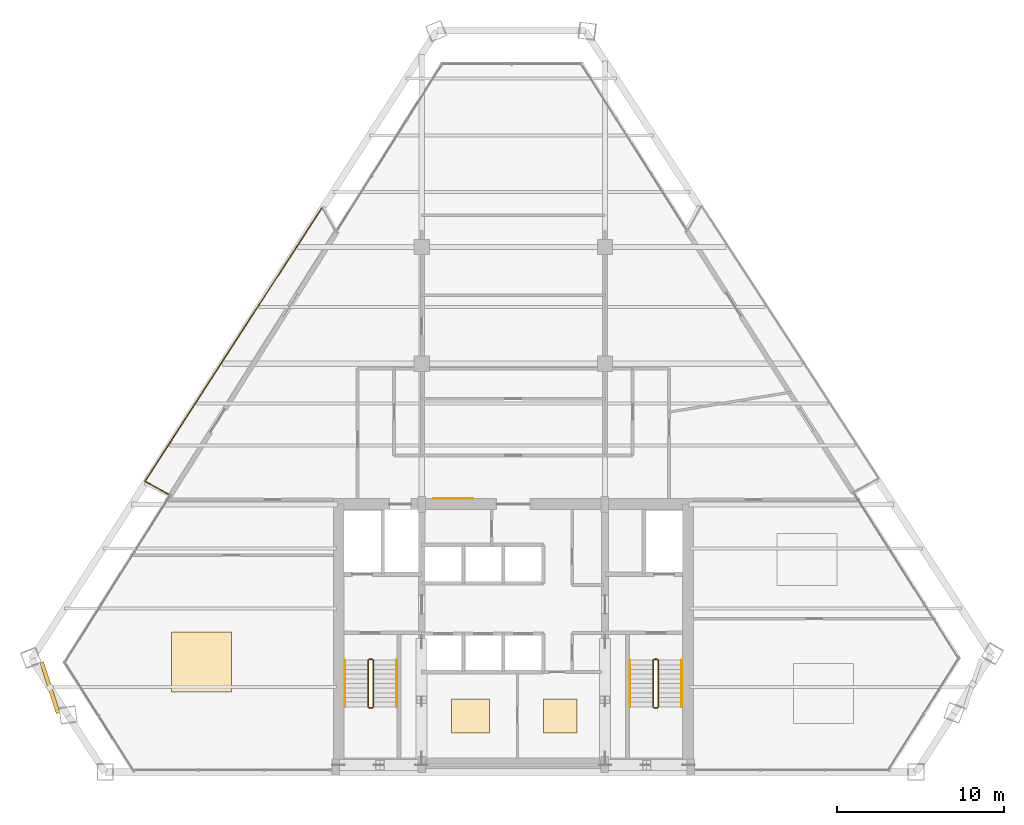
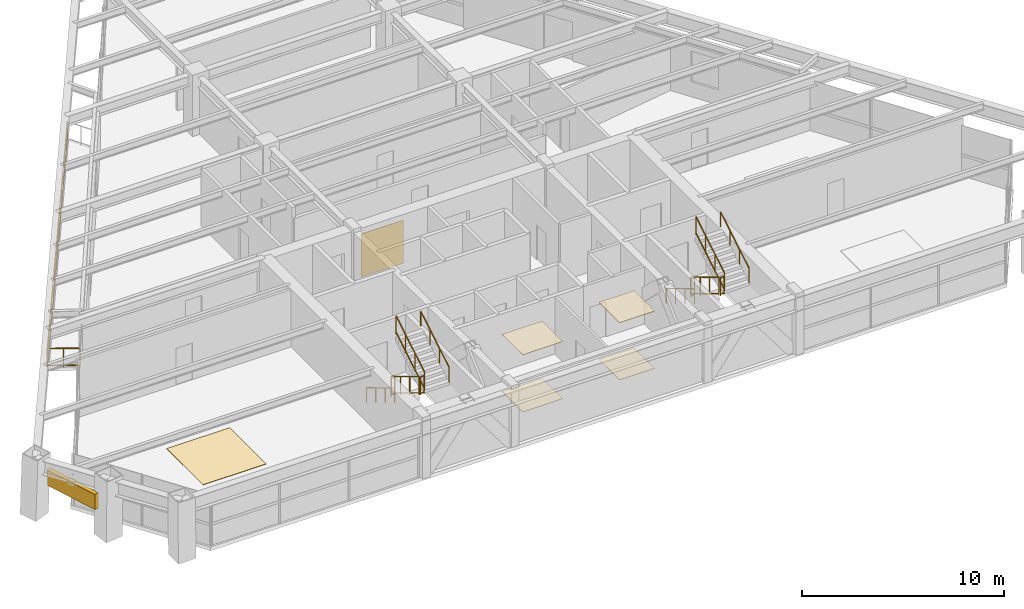
# One storey, part 14 of 15: 14 railings, 6 coverings, 1 shading device.
"""IFC4 building model written with IfcOpenShell, lengths in metres."""

from ifc_helpers import new_model, si_unit, direction, frame, origin, origin_2d, place, context, subcontext, project, spatial, rectangle, extrude, source, transform, mapped, material, layer, layer_set, type_object, type_shapes, element, save


model = new_model("IFC4")

# Units and contexts
model_context = context("Model", 3, precision=1e-05, world=origin(), true_north=direction((0.0, 1.0)))
body_context = subcontext(model_context, "Body", "Model", "MODEL_VIEW")
ifc_project = project(units=[si_unit("LENGTHUNIT", "METRE"), si_unit("AREAUNIT", "SQUARE_METRE"), si_unit("VOLUMEUNIT", "CUBIC_METRE"), si_unit("PLANEANGLEUNIT", "RADIAN"), si_unit("MASSUNIT", "GRAM", prefix="KILO")], contexts=[model_context])

# Site, building, storey
site_placement = place(None, origin())
site = spatial("IfcSite", under=ifc_project, at=site_placement, CompositionType="ELEMENT")
building_placement = place(site_placement, origin())
building = spatial("IfcBuilding", under=site, at=building_placement, Name="Varnakhor Terracotta Tower", CompositionType="ELEMENT")
storey_placement = place(building_placement, frame((0.0, 0.0, 171.0)))
storey = spatial("IfcBuildingStorey", under=building, at=storey_placement, Name="L43", CompositionType="ELEMENT", Elevation=171.0)

# Railings
ifc_material_1 = material(Name="Stainless Steel & Laminated Glass Guardrail", Category="steel")
railing_type_1 = type_object("IfcRailingType", Name="RLG-LOGGIA-GUARD-1150", PredefinedType="GUARDRAIL", material=ifc_material_1)
railing_1_placement = place(storey_placement, frame((-20.68505859375, 16.665283203125, 0.0)))
element("IfcRailing", 1, at=railing_1_placement, inside=storey, type_object=railing_type_1, Name="L43 W Loggia Glass Guard 1", PredefinedType="GUARDRAIL", context=body_context, shape_type="SweptSolid", body=[
    extrude(rectangle(XDim=0.048095703125, YDim=0.048095703125, at=origin_2d()), frame((0.0, 0.0, 1.1259765625), z_axis=(-0.877918646882, 0.478809825982, 0.0), x_axis=(-0.478809825982, -0.877918646882, 0.0)), (0.0, 0.0, 1.0), 1.617431640625),
    extrude(rectangle(XDim=0.048095703125, YDim=0.048095703125, at=origin_2d()), frame((0.0, 0.0, 0.10009765625), z_axis=(-0.877918646882, 0.478809825982, 0.0), x_axis=(-0.478809825982, -0.877918646882, 0.0)), (0.0, 0.0, 1.0), 1.617431640625),
    extrude(rectangle(XDim=0.0419921875, YDim=0.0419921875, at=origin_2d()), origin(), (0.0, 0.0, 1.0), 1.101806640625),
    extrude(rectangle(XDim=0.0419921875, YDim=0.0419921875, at=origin_2d()), frame((-0.7099609375, 0.38720703125, 0.0)), (0.0, 0.0, 1.0), 1.101806640625),
    extrude(rectangle(XDim=0.0419921875, YDim=0.0419921875, at=origin_2d()), frame((-1.419921875, 0.7744140625, 0.0)), (0.0, 0.0, 1.0), 1.101806640625),
])
railing_2_placement = place(storey_placement, frame((-22.10498046875, 17.439697265625, 0.0)))
element("IfcRailing", 2, at=railing_2_placement, inside=storey, type_object=railing_type_1, Name="L43 W Loggia Glass Guard 2", PredefinedType="GUARDRAIL", context=body_context, shape_type="SweptSolid", body=[
    extrude(rectangle(XDim=0.048095703125, YDim=0.048095703125, at=origin_2d()), frame((0.0, 0.0, 1.1259765625), z_axis=(0.543193362066, 0.839607629436, 0.0), x_axis=(-0.839607629436, 0.543193362066, 0.0)), (0.0, 0.0, 1.0), 19.576416015625),
    extrude(rectangle(XDim=0.048095703125, YDim=0.048095703125, at=origin_2d()), frame((0.0, 0.0, 0.10009765625), z_axis=(0.543193362066, 0.839607629436, 0.0), x_axis=(-0.839607629436, 0.543193362066, 0.0)), (0.0, 0.0, 1.0), 19.576416015625),
    extrude(rectangle(XDim=0.0419921875, YDim=0.0419921875, at=origin_2d()), origin(), (0.0, 0.0, 1.0), 1.101806640625),
    extrude(rectangle(XDim=0.0419921875, YDim=0.0419921875, at=origin_2d()), frame((0.759521484375, 1.174072265625, 0.0)), (0.0, 0.0, 1.0), 1.101806640625),
    extrude(rectangle(XDim=0.0419921875, YDim=0.0419921875, at=origin_2d()), frame((1.51904296875, 2.34814453125, 0.0)), (0.0, 0.0, 1.0), 1.101806640625),
    extrude(rectangle(XDim=0.0419921875, YDim=0.0419921875, at=origin_2d()), frame((2.278564453125, 3.522216796875, 0.0)), (0.0, 0.0, 1.0), 1.101806640625),
    extrude(rectangle(XDim=0.0419921875, YDim=0.0419921875, at=origin_2d()), frame((3.038330078125, 4.696044921875, 0.0)), (0.0, 0.0, 1.0), 1.101806640625),
    extrude(rectangle(XDim=0.0419921875, YDim=0.0419921875, at=origin_2d()), frame((3.7978515625, 5.8701171875, 0.0)), (0.0, 0.0, 1.0), 1.101806640625),
    extrude(rectangle(XDim=0.0419921875, YDim=0.0419921875, at=origin_2d()), frame((4.557373046875, 7.044189453125, 0.0)), (0.0, 0.0, 1.0), 1.101806640625),
    extrude(rectangle(XDim=0.0419921875, YDim=0.0419921875, at=origin_2d()), frame((5.31689453125, 8.21826171875, 0.0)), (0.0, 0.0, 1.0), 1.101806640625),
    extrude(rectangle(XDim=0.0419921875, YDim=0.0419921875, at=origin_2d()), frame((6.076416015625, 9.392333984375, 0.0)), (0.0, 0.0, 1.0), 1.101806640625),
    extrude(rectangle(XDim=0.0419921875, YDim=0.0419921875, at=origin_2d()), frame((6.8359375, 10.56640625, 0.0)), (0.0, 0.0, 1.0), 1.101806640625),
    extrude(rectangle(XDim=0.0419921875, YDim=0.0419921875, at=origin_2d()), frame((7.595458984375, 11.740478515625, 0.0)), (0.0, 0.0, 1.0), 1.101806640625),
    extrude(rectangle(XDim=0.0419921875, YDim=0.0419921875, at=origin_2d()), frame((8.355224609375, 12.914306640625, 0.0)), (0.0, 0.0, 1.0), 1.101806640625),
    extrude(rectangle(XDim=0.0419921875, YDim=0.0419921875, at=origin_2d()), frame((9.11474609375, 14.08837890625, 0.0)), (0.0, 0.0, 1.0), 1.101806640625),
    extrude(rectangle(XDim=0.0419921875, YDim=0.0419921875, at=origin_2d()), frame((9.874267578125, 15.262451171875, 0.0)), (0.0, 0.0, 1.0), 1.101806640625),
    extrude(rectangle(XDim=0.0419921875, YDim=0.0419921875, at=origin_2d()), frame((10.6337890625, 16.4365234375, 0.0)), (0.0, 0.0, 1.0), 1.101806640625),
])
ifc_material_2 = material(Name="Painted Steel Stairwell Guardrail", Category="steel")
railing_type_2 = type_object("IfcRailingType", Name="RLG-STAIR-GUARD-1120", PredefinedType="GUARDRAIL", material=ifc_material_2)
railing_3_placement = place(storey_placement, frame((-8.699951171875, 6.7099609375, 0.168212890625)))
element("IfcRailing", 3, at=railing_3_placement, inside=storey, type_object=railing_type_2, Name="L43 ST-1 stair guard 1", PredefinedType="GUARDRAIL", context=body_context, shape_type="SweptSolid", body=[
    extrude(rectangle(XDim=0.048095703125, YDim=0.048095703125, at=origin_2d()), frame((0.0, 0.0, 1.09619140625), z_axis=(0.0, -0.857242210791, 0.514913383045), x_axis=(1.0, 0.0, 0.0)), (0.0, 0.0, 1.0), 3.266357421875),
    extrude(rectangle(XDim=0.048095703125, YDim=0.048095703125, at=origin_2d()), frame((0.0, 0.0, 0.10009765625), z_axis=(0.0, -0.857242210791, 0.514913383045), x_axis=(1.0, 0.0, 0.0)), (0.0, 0.0, 1.0), 3.266357421875),
    extrude(rectangle(XDim=0.0419921875, YDim=0.0419921875, at=origin_2d()), origin(), (0.0, 0.0, 1.0), 1.072021484375),
    extrude(rectangle(XDim=0.0419921875, YDim=0.0419921875, at=origin_2d()), frame((0.0, -0.933349609375, 0.560546875)), (0.0, 0.0, 1.0), 1.072021484375),
    extrude(rectangle(XDim=0.0419921875, YDim=0.0419921875, at=origin_2d()), frame((0.0, -1.86669921875, 1.121337890625)), (0.0, 0.0, 1.0), 1.072021484375),
    extrude(rectangle(XDim=0.0419921875, YDim=0.0419921875, at=origin_2d()), frame((0.0, -2.800048828125, 1.681884765625)), (0.0, 0.0, 1.0), 1.072021484375),
])
railing_4_placement = place(storey_placement, frame((-8.64990234375, 3.860107421875, 1.85009765625)))
element("IfcRailing", 4, at=railing_4_placement, inside=storey, type_object=railing_type_2, Name="L43 ST-1 stair guard 2", PredefinedType="GUARDRAIL", context=body_context, shape_type="SweptSolid", body=[
    extrude(rectangle(XDim=0.048095703125, YDim=0.048095703125, at=origin_2d()), frame((0.0, 0.0, 1.09619140625), z_axis=(1.0, 0.0, 0.0), x_axis=(0.0, 1.0, 0.0)), (0.0, 0.0, 1.0), 0.199951171875),
    extrude(rectangle(XDim=0.048095703125, YDim=0.048095703125, at=origin_2d()), frame((0.0, 0.0, 0.10009765625), z_axis=(1.0, 0.0, 0.0), x_axis=(0.0, 1.0, 0.0)), (0.0, 0.0, 1.0), 0.199951171875),
    extrude(rectangle(XDim=0.0419921875, YDim=0.0419921875, at=origin_2d()), origin(), (0.0, 0.0, 1.0), 1.072021484375),
    extrude(rectangle(XDim=0.0419921875, YDim=0.0419921875, at=origin_2d()), frame((0.199951171875, 0.0, 0.0)), (0.0, 0.0, 1.0), 1.072021484375),
])
railing_5_placement = place(storey_placement, frame((-8.39990234375, 3.909912109375, 2.01806640625)))
element("IfcRailing", 5, at=railing_5_placement, inside=storey, type_object=railing_type_2, Name="L43 ST-1 stair guard 3", PredefinedType="GUARDRAIL", context=body_context, shape_type="SweptSolid", body=[
    extrude(rectangle(XDim=0.048095703125, YDim=0.048095703125, at=origin_2d()), frame((0.0, 0.0, 1.09619140625), z_axis=(0.0, 0.857242210791, 0.514913383045), x_axis=(-1.0, 0.0, 0.0)), (0.0, 0.0, 1.0), 3.266357421875),
    extrude(rectangle(XDim=0.048095703125, YDim=0.048095703125, at=origin_2d()), frame((0.0, 0.0, 0.10009765625), z_axis=(0.0, 0.857242210791, 0.514913383045), x_axis=(-1.0, 0.0, 0.0)), (0.0, 0.0, 1.0), 3.266357421875),
    extrude(rectangle(XDim=0.0419921875, YDim=0.0419921875, at=origin_2d()), origin(), (0.0, 0.0, 1.0), 1.072021484375),
    extrude(rectangle(XDim=0.0419921875, YDim=0.0419921875, at=origin_2d()), frame((0.0, 0.933349609375, 0.560546875)), (0.0, 0.0, 1.0), 1.072021484375),
    extrude(rectangle(XDim=0.0419921875, YDim=0.0419921875, at=origin_2d()), frame((0.0, 1.86669921875, 1.121337890625)), (0.0, 0.0, 1.0), 1.072021484375),
    extrude(rectangle(XDim=0.0419921875, YDim=0.0419921875, at=origin_2d()), frame((0.0, 2.800048828125, 1.681884765625)), (0.0, 0.0, 1.0), 1.072021484375),
])
railing_6_placement = place(storey_placement, frame((-8.64990234375, 6.760009765625, 0.0)))
element("IfcRailing", 6, at=railing_6_placement, inside=storey, type_object=railing_type_2, Name="L43 ST-1 stair guard 4", PredefinedType="GUARDRAIL", context=body_context, shape_type="SweptSolid", body=[
    extrude(rectangle(XDim=0.048095703125, YDim=0.048095703125, at=origin_2d()), frame((0.0, 0.0, 1.09619140625), z_axis=(1.0, 0.0, 0.0), x_axis=(0.0, 1.0, 0.0)), (0.0, 0.0, 1.0), 0.199951171875),
    extrude(rectangle(XDim=0.048095703125, YDim=0.048095703125, at=origin_2d()), frame((0.0, 0.0, 0.10009765625), z_axis=(1.0, 0.0, 0.0), x_axis=(0.0, 1.0, 0.0)), (0.0, 0.0, 1.0), 0.199951171875),
    extrude(rectangle(XDim=0.0419921875, YDim=0.0419921875, at=origin_2d()), origin(), (0.0, 0.0, 1.0), 1.072021484375),
    extrude(rectangle(XDim=0.0419921875, YDim=0.0419921875, at=origin_2d()), frame((0.199951171875, 0.0, 0.0)), (0.0, 0.0, 1.0), 1.072021484375),
])
railing_7_placement = place(storey_placement, frame((8.39990234375, 6.7099609375, 0.168212890625)))
element("IfcRailing", 7, at=railing_7_placement, inside=storey, type_object=railing_type_2, Name="L43 ST-2 stair guard 1", PredefinedType="GUARDRAIL", context=body_context, shape_type="SweptSolid", body=[
    extrude(rectangle(XDim=0.048095703125, YDim=0.048095703125, at=origin_2d()), frame((0.0, 0.0, 1.09619140625), z_axis=(0.0, -0.857242210791, 0.514913383045), x_axis=(1.0, 0.0, 0.0)), (0.0, 0.0, 1.0), 3.266357421875),
    extrude(rectangle(XDim=0.048095703125, YDim=0.048095703125, at=origin_2d()), frame((0.0, 0.0, 0.10009765625), z_axis=(0.0, -0.857242210791, 0.514913383045), x_axis=(1.0, 0.0, 0.0)), (0.0, 0.0, 1.0), 3.266357421875),
    extrude(rectangle(XDim=0.0419921875, YDim=0.0419921875, at=origin_2d()), origin(), (0.0, 0.0, 1.0), 1.072021484375),
    extrude(rectangle(XDim=0.0419921875, YDim=0.0419921875, at=origin_2d()), frame((0.0, -0.933349609375, 0.560546875)), (0.0, 0.0, 1.0), 1.072021484375),
    extrude(rectangle(XDim=0.0419921875, YDim=0.0419921875, at=origin_2d()), frame((0.0, -1.86669921875, 1.121337890625)), (0.0, 0.0, 1.0), 1.072021484375),
    extrude(rectangle(XDim=0.0419921875, YDim=0.0419921875, at=origin_2d()), frame((0.0, -2.800048828125, 1.681884765625)), (0.0, 0.0, 1.0), 1.072021484375),
])
railing_8_placement = place(storey_placement, frame((8.449951171875, 3.860107421875, 1.85009765625)))
element("IfcRailing", 8, at=railing_8_placement, inside=storey, type_object=railing_type_2, Name="L43 ST-2 stair guard 2", PredefinedType="GUARDRAIL", context=body_context, shape_type="SweptSolid", body=[
    extrude(rectangle(XDim=0.048095703125, YDim=0.048095703125, at=origin_2d()), frame((0.0, 0.0, 1.09619140625), z_axis=(1.0, 0.0, 0.0), x_axis=(0.0, 1.0, 0.0)), (0.0, 0.0, 1.0), 0.199951171875),
    extrude(rectangle(XDim=0.048095703125, YDim=0.048095703125, at=origin_2d()), frame((0.0, 0.0, 0.10009765625), z_axis=(1.0, 0.0, 0.0), x_axis=(0.0, 1.0, 0.0)), (0.0, 0.0, 1.0), 0.199951171875),
    extrude(rectangle(XDim=0.0419921875, YDim=0.0419921875, at=origin_2d()), origin(), (0.0, 0.0, 1.0), 1.072021484375),
    extrude(rectangle(XDim=0.0419921875, YDim=0.0419921875, at=origin_2d()), frame((0.199951171875, 0.0, 0.0)), (0.0, 0.0, 1.0), 1.072021484375),
])
railing_9_placement = place(storey_placement, frame((8.699951171875, 3.909912109375, 2.01806640625)))
element("IfcRailing", 9, at=railing_9_placement, inside=storey, type_object=railing_type_2, Name="L43 ST-2 stair guard 3", PredefinedType="GUARDRAIL", context=body_context, shape_type="SweptSolid", body=[
    extrude(rectangle(XDim=0.048095703125, YDim=0.048095703125, at=origin_2d()), frame((0.0, 0.0, 1.09619140625), z_axis=(0.0, 0.857242210791, 0.514913383045), x_axis=(-1.0, 0.0, 0.0)), (0.0, 0.0, 1.0), 3.266357421875),
    extrude(rectangle(XDim=0.048095703125, YDim=0.048095703125, at=origin_2d()), frame((0.0, 0.0, 0.10009765625), z_axis=(0.0, 0.857242210791, 0.514913383045), x_axis=(-1.0, 0.0, 0.0)), (0.0, 0.0, 1.0), 3.266357421875),
    extrude(rectangle(XDim=0.0419921875, YDim=0.0419921875, at=origin_2d()), origin(), (0.0, 0.0, 1.0), 1.072021484375),
    extrude(rectangle(XDim=0.0419921875, YDim=0.0419921875, at=origin_2d()), frame((0.0, 0.933349609375, 0.560546875)), (0.0, 0.0, 1.0), 1.072021484375),
    extrude(rectangle(XDim=0.0419921875, YDim=0.0419921875, at=origin_2d()), frame((0.0, 1.86669921875, 1.121337890625)), (0.0, 0.0, 1.0), 1.072021484375),
    extrude(rectangle(XDim=0.0419921875, YDim=0.0419921875, at=origin_2d()), frame((0.0, 2.800048828125, 1.681884765625)), (0.0, 0.0, 1.0), 1.072021484375),
])
railing_10_placement = place(storey_placement, frame((8.449951171875, 6.760009765625, 0.0)))
element("IfcRailing", 10, at=railing_10_placement, inside=storey, type_object=railing_type_2, Name="L43 ST-2 stair guard 4", PredefinedType="GUARDRAIL", context=body_context, shape_type="SweptSolid", body=[
    extrude(rectangle(XDim=0.048095703125, YDim=0.048095703125, at=origin_2d()), frame((0.0, 0.0, 1.09619140625), z_axis=(1.0, 0.0, 0.0), x_axis=(0.0, 1.0, 0.0)), (0.0, 0.0, 1.0), 0.199951171875),
    extrude(rectangle(XDim=0.048095703125, YDim=0.048095703125, at=origin_2d()), frame((0.0, 0.0, 0.10009765625), z_axis=(1.0, 0.0, 0.0), x_axis=(0.0, 1.0, 0.0)), (0.0, 0.0, 1.0), 0.199951171875),
    extrude(rectangle(XDim=0.0419921875, YDim=0.0419921875, at=origin_2d()), origin(), (0.0, 0.0, 1.0), 1.072021484375),
    extrude(rectangle(XDim=0.0419921875, YDim=0.0419921875, at=origin_2d()), frame((0.199951171875, 0.0, 0.0)), (0.0, 0.0, 1.0), 1.072021484375),
])
ifc_material_3 = material(Name="Brushed Stainless Steel Handrail", Category="steel")
railing_type_3 = type_object("IfcRailingType", Name="RLG-STAIR-HANDRAIL-920", PredefinedType="HANDRAIL", material=ifc_material_3)
railing_11_placement = place(storey_placement, frame((-10.10009765625, 6.7099609375, 0.168212890625)))
element("IfcRailing", 11, at=railing_11_placement, inside=storey, type_object=railing_type_3, Name="L43 ST-1 stair handrail 1", PredefinedType="HANDRAIL", context=body_context, shape_type="SweptSolid", body=[
    extrude(rectangle(XDim=0.048095703125, YDim=0.048095703125, at=origin_2d()), frame((0.0, 0.0, 0.89599609375), z_axis=(0.0, -0.857242210791, 0.514913383045), x_axis=(1.0, 0.0, 0.0)), (0.0, 0.0, 1.0), 3.266357421875),
    extrude(rectangle(XDim=0.0419921875, YDim=0.0419921875, at=origin_2d()), origin(), (0.0, 0.0, 1.0), 0.871826171875),
    extrude(rectangle(XDim=0.0419921875, YDim=0.0419921875, at=origin_2d()), frame((0.0, -0.933349609375, 0.560546875)), (0.0, 0.0, 1.0), 0.871826171875),
    extrude(rectangle(XDim=0.0419921875, YDim=0.0419921875, at=origin_2d()), frame((0.0, -1.86669921875, 1.121337890625)), (0.0, 0.0, 1.0), 0.871826171875),
    extrude(rectangle(XDim=0.0419921875, YDim=0.0419921875, at=origin_2d()), frame((0.0, -2.800048828125, 1.681884765625)), (0.0, 0.0, 1.0), 0.871826171875),
])
railing_12_placement = place(storey_placement, frame((-7.0, 3.909912109375, 2.01806640625)))
element("IfcRailing", 12, at=railing_12_placement, inside=storey, type_object=railing_type_3, Name="L43 ST-1 stair handrail 2", PredefinedType="HANDRAIL", context=body_context, shape_type="SweptSolid", body=[
    extrude(rectangle(XDim=0.048095703125, YDim=0.048095703125, at=origin_2d()), frame((0.0, 0.0, 0.89599609375), z_axis=(0.0, 0.857242210791, 0.514913383045), x_axis=(-1.0, 0.0, 0.0)), (0.0, 0.0, 1.0), 3.266357421875),
    extrude(rectangle(XDim=0.0419921875, YDim=0.0419921875, at=origin_2d()), origin(), (0.0, 0.0, 1.0), 0.871826171875),
    extrude(rectangle(XDim=0.0419921875, YDim=0.0419921875, at=origin_2d()), frame((0.0, 0.933349609375, 0.560546875)), (0.0, 0.0, 1.0), 0.871826171875),
    extrude(rectangle(XDim=0.0419921875, YDim=0.0419921875, at=origin_2d()), frame((0.0, 1.86669921875, 1.121337890625)), (0.0, 0.0, 1.0), 0.871826171875),
    extrude(rectangle(XDim=0.0419921875, YDim=0.0419921875, at=origin_2d()), frame((0.0, 2.800048828125, 1.681884765625)), (0.0, 0.0, 1.0), 0.871826171875),
])
railing_13_placement = place(storey_placement, frame((7.0, 6.7099609375, 0.168212890625)))
element("IfcRailing", 13, at=railing_13_placement, inside=storey, type_object=railing_type_3, Name="L43 ST-2 stair handrail 1", PredefinedType="HANDRAIL", context=body_context, shape_type="SweptSolid", body=[
    extrude(rectangle(XDim=0.048095703125, YDim=0.048095703125, at=origin_2d()), frame((0.0, 0.0, 0.89599609375), z_axis=(0.0, -0.857242210791, 0.514913383045), x_axis=(1.0, 0.0, 0.0)), (0.0, 0.0, 1.0), 3.266357421875),
    extrude(rectangle(XDim=0.0419921875, YDim=0.0419921875, at=origin_2d()), origin(), (0.0, 0.0, 1.0), 0.871826171875),
    extrude(rectangle(XDim=0.0419921875, YDim=0.0419921875, at=origin_2d()), frame((0.0, -0.933349609375, 0.560546875)), (0.0, 0.0, 1.0), 0.871826171875),
    extrude(rectangle(XDim=0.0419921875, YDim=0.0419921875, at=origin_2d()), frame((0.0, -1.86669921875, 1.121337890625)), (0.0, 0.0, 1.0), 0.871826171875),
    extrude(rectangle(XDim=0.0419921875, YDim=0.0419921875, at=origin_2d()), frame((0.0, -2.800048828125, 1.681884765625)), (0.0, 0.0, 1.0), 0.871826171875),
])
railing_14_placement = place(storey_placement, frame((10.10009765625, 3.909912109375, 2.01806640625)))
element("IfcRailing", 14, at=railing_14_placement, inside=storey, type_object=railing_type_3, Name="L43 ST-2 stair handrail 2", PredefinedType="HANDRAIL", context=body_context, shape_type="SweptSolid", body=[
    extrude(rectangle(XDim=0.048095703125, YDim=0.048095703125, at=origin_2d()), frame((0.0, 0.0, 0.89599609375), z_axis=(0.0, 0.857242210791, 0.514913383045), x_axis=(-1.0, 0.0, 0.0)), (0.0, 0.0, 1.0), 3.266357421875),
    extrude(rectangle(XDim=0.0419921875, YDim=0.0419921875, at=origin_2d()), origin(), (0.0, 0.0, 1.0), 0.871826171875),
    extrude(rectangle(XDim=0.0419921875, YDim=0.0419921875, at=origin_2d()), frame((0.0, 0.933349609375, 0.560546875)), (0.0, 0.0, 1.0), 0.871826171875),
    extrude(rectangle(XDim=0.0419921875, YDim=0.0419921875, at=origin_2d()), frame((0.0, 1.86669921875, 1.121337890625)), (0.0, 0.0, 1.0), 0.871826171875),
    extrude(rectangle(XDim=0.0419921875, YDim=0.0419921875, at=origin_2d()), frame((0.0, 2.800048828125, 1.681884765625)), (0.0, 0.0, 1.0), 0.871826171875),
])

# Shading device
ifc_material_4 = material(Name="Extruded Architectural Terracotta Screen", Category="masonry")
shading_device_type = type_object("IfcShadingDeviceType", Name="TERRACOTTA SOLAR SCREEN W", PredefinedType="USERDEFINED", material=ifc_material_4)
shared_shape_1 = source(origin(), body_context, "Body", "SweptSolid", [
    extrude(rectangle(XDim=3.199951171875, YDim=0.239990234375, at=origin_2d()), origin(), (0.0, 0.0, 1.0), 0.919921875),
])
type_shapes(shading_device_type, [shared_shape_1])
shading_device_placement = place(storey_placement, frame((-27.80517578125, 5.064697265625, 1.7099609375), z_axis=(0.0, 0.0, 1.0), x_axis=(0.309929800577, -0.950759443137, 0.0)))
element("IfcShadingDevice", 15, at=shading_device_placement, inside=storey, type_object=shading_device_type, Name="L43 W Terracotta Solar Screen", ObjectType="SCREEN", PredefinedType="USERDEFINED", context=body_context, shape_type="MappedRepresentation", body=[
    mapped(shared_shape_1, transform((0.0, 0.0, 0.0), scale=1.0)),
])

# Coverings
ifc_material_5 = material(Name="Extruded Architectural Terracotta Cladding", Category="masonry")
ifc_layer_1 = layer(ifc_material_5, 0.044921875, Name="Extruded Architectural Terracotta Cladding")
ifc_layer_set_1 = layer_set([ifc_layer_1], Name="Extruded Architectural Terracotta Cladding")
covering_type_1 = type_object("IfcCoveringType", Name="COV-CLAD-TERRACOTTA", PredefinedType="CLADDING", material=ifc_layer_set_1)
shared_shape_2 = source(origin(), body_context, "Body", "SweptSolid", [
    extrude(rectangle(XDim=2.39990234375, YDim=0.030029296875, at=origin_2d()), origin(), (0.0, 0.0, 1.0), 2.60009765625),
])
type_shapes(covering_type_1, [shared_shape_2])
covering_1_placement = place(storey_placement, frame((-3.60009765625, 16.412109375, 0.0), z_axis=(0.0, 0.0, 1.0), x_axis=(1.0, 0.0, 0.0)))
element("IfcCovering", 16, at=covering_1_placement, inside=storey, type_object=covering_type_1, Name="L43 Core Lobby Limestone Cladding", PredefinedType="CLADDING", context=body_context, shape_type="MappedRepresentation", body=[
    mapped(shared_shape_2, transform((0.0, 0.0, 0.0), scale=1.0)),
])
ifc_material_6 = material(Name="Honed Riyadh Limestone Flooring", Category="masonry")
ifc_layer_2 = layer(ifc_material_6, 0.030029296875, Name="Honed Riyadh Limestone Flooring")
ifc_layer_set_2 = layer_set([ifc_layer_2], Name="Honed Riyadh Limestone Flooring")
covering_type_2 = type_object("IfcCoveringType", Name="COV-FLOOR-LIMESTONE", PredefinedType="FLOORING", material=ifc_layer_set_2)
shared_shape_3 = source(origin(), body_context, "Body", "SweptSolid", [
    extrude(rectangle(XDim=3.60009765625, YDim=3.60009765625, at=origin_2d()), origin(), (0.0, 0.0, 1.0), 0.02001953125),
])
covering_2_placement = place(storey_placement, frame((-18.70703125, 6.60205078125, 0.0), z_axis=(0.0, 0.0, 1.0), x_axis=(1.0, 0.0, 0.0)))
element("IfcCovering", 17, at=covering_2_placement, inside=storey, type_object=covering_type_2, Name="L43 Honed Stone Flooring 4", PredefinedType="FLOORING", context=body_context, shape_type="MappedRepresentation", body=[
    mapped(shared_shape_3, transform((0.0, 0.0, 0.0), scale=1.0)),
])
shared_shape_4 = source(origin(), body_context, "Body", "SweptSolid", [
    extrude(rectangle(XDim=2.281982421875, YDim=2.041015625, at=origin_2d()), origin(), (0.0, 0.0, 1.0), 0.02001953125),
])
covering_3_placement = place(storey_placement, frame((-2.56494140625, 3.35498046875, 0.0), z_axis=(0.0, 0.0, 1.0), x_axis=(1.0, 0.0, 0.0)))
element("IfcCovering", 18, at=covering_3_placement, inside=storey, type_object=covering_type_2, Name="L43 Honed Stone Flooring 1", PredefinedType="FLOORING", context=body_context, shape_type="MappedRepresentation", body=[
    mapped(shared_shape_4, transform((0.0, 0.0, 0.0), scale=1.0)),
])
ifc_material_7 = material(Name="Perforated Acoustic Mineral-Fibre Ceiling", Category="gypsum")
ifc_layer_3 = layer(ifc_material_7, 0.02490234375, Name="Perforated Acoustic Mineral-Fibre Ceiling")
ifc_layer_set_3 = layer_set([ifc_layer_3], Name="Perforated Acoustic Mineral-Fibre Ceiling")
covering_type_3 = type_object("IfcCoveringType", Name="COV-CEILING-ACOUSTIC", PredefinedType="CEILING", material=ifc_layer_set_3)
shared_shape_5 = source(origin(), body_context, "Body", "SweptSolid", [
    extrude(rectangle(XDim=2.281982421875, YDim=2.041015625, at=origin_2d()), origin(), (0.0, 0.0, 1.0), 0.02392578125),
])
covering_4_placement = place(storey_placement, frame((-2.56494140625, 3.35498046875, 3.446044921875), z_axis=(0.0, 0.0, 1.0), x_axis=(1.0, 0.0, 0.0)))
element("IfcCovering", 19, at=covering_4_placement, inside=storey, type_object=covering_type_3, Name="L43 Acoustic Ceiling Panel 1", PredefinedType="CEILING", context=body_context, shape_type="MappedRepresentation", body=[
    mapped(shared_shape_5, transform((0.0, 0.0, 0.0), scale=1.0)),
])
shared_shape_6 = source(origin(), body_context, "Body", "SweptSolid", [
    extrude(rectangle(XDim=2.007080078125, YDim=2.041015625, at=origin_2d()), origin(), (0.0, 0.0, 1.0), 0.02001953125),
])
covering_5_placement = place(storey_placement, frame((2.81494140625, 3.35498046875, 0.0), z_axis=(0.0, 0.0, 1.0), x_axis=(1.0, 0.0, 0.0)))
element("IfcCovering", 20, at=covering_5_placement, inside=storey, type_object=covering_type_2, Name="L43 Honed Stone Flooring 2", PredefinedType="FLOORING", context=body_context, shape_type="MappedRepresentation", body=[
    mapped(shared_shape_6, transform((0.0, 0.0, 0.0), scale=1.0)),
])
shared_shape_7 = source(origin(), body_context, "Body", "SweptSolid", [
    extrude(rectangle(XDim=2.007080078125, YDim=2.041015625, at=origin_2d()), origin(), (0.0, 0.0, 1.0), 0.02392578125),
])
covering_6_placement = place(storey_placement, frame((2.81494140625, 3.35498046875, 3.446044921875), z_axis=(0.0, 0.0, 1.0), x_axis=(1.0, 0.0, 0.0)))
element("IfcCovering", 21, at=covering_6_placement, inside=storey, type_object=covering_type_3, Name="L43 Acoustic Ceiling Panel 2", PredefinedType="CEILING", context=body_context, shape_type="MappedRepresentation", body=[
    mapped(shared_shape_7, transform((0.0, 0.0, 0.0), scale=1.0)),
])

save(model, "model.ifc")
